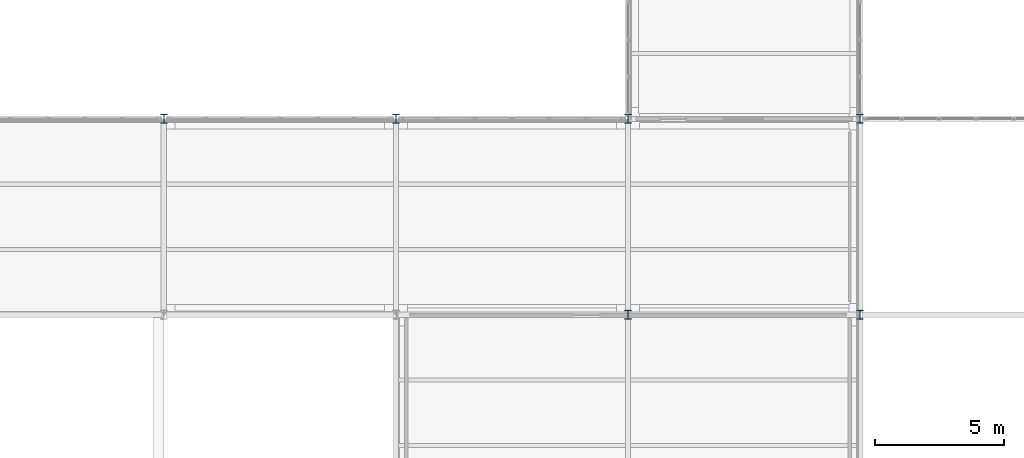
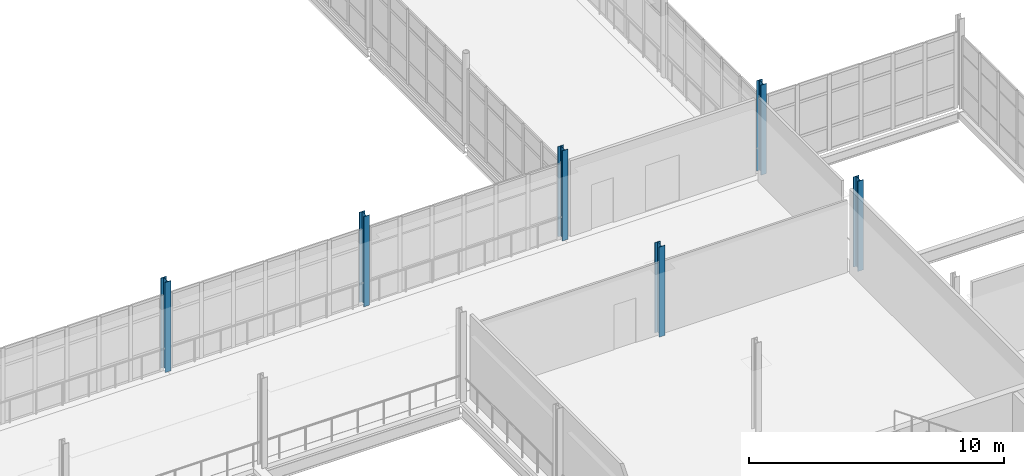
# One storey, part 8 of 174: 6 columns.
"""IFC4 building model written with IfcOpenShell, lengths in metres."""

from ifc_helpers import new_model, si_unit, direction, frame, origin, origin_2d, place, context, subcontext, project, spatial, i_section, extrude, material, material_profile, profile_set, type_object, element, save


model = new_model("IFC4")

# Units and contexts
model_context = context("Model", 3, precision=1e-05, world=origin(), true_north=direction((0.0, 1.0)))
body_context = subcontext(model_context, "Body", "Model", "MODEL_VIEW")
ifc_project = project(units=[si_unit("LENGTHUNIT", "METRE"), si_unit("AREAUNIT", "SQUARE_METRE"), si_unit("VOLUMEUNIT", "CUBIC_METRE"), si_unit("PLANEANGLEUNIT", "RADIAN"), si_unit("MASSUNIT", "GRAM", prefix="KILO")], contexts=[model_context])

# Site, building, storey
site_placement = place(None, origin())
site = spatial("IfcSite", under=ifc_project, at=site_placement, CompositionType="ELEMENT")
building_placement = place(site_placement, origin())
building = spatial("IfcBuilding", under=site, at=building_placement, Name="Caisbarro Railhouse Central Library", CompositionType="ELEMENT")
storey_placement = place(building_placement, frame((0.0, 0.0, 5.0400390625)))
storey = spatial("IfcBuildingStorey", under=building, at=storey_placement, Name="L01", CompositionType="ELEMENT", Elevation=5.0400390625)

# Columns
ifc_material = material(Name="Steel ASTM A572 Grade 50", Category="steel")
ifc_material_profile = material_profile(ifc_material, i_section(OverallWidth=0.257080078125, OverallDepth=0.363037109375, WebThickness=0.012939453125, FlangeThickness=0.021728515625, FilletRadius=0.014892578125, at=origin_2d()), Name="W360X122.0")
ifc_profile_set = profile_set([ifc_material_profile], Name="Steel ASTM A572 Grade 50")
column_type = type_object("IfcColumnType", Name="COL-C04", PredefinedType="COLUMN", material=ifc_profile_set)
for number, where, z_axis, x_axis, name in (
    (1, (36.0, 60.800048828125, 0.0), (0.0, 0.0, 1.0), (1.0, 0.0, 0.0), "C04 column L01 (36.0,60.8)"),
    (2, (45.0, 60.800048828125, 0.0), (0.0, 0.0, 1.0), (1.0, 0.0, 0.0), "C04 column L01 (45.0,60.8)"),
    (3, (54.0, 53.199951171875, 0.0), (0.0, 0.0, 1.0), (1.0, 0.0, 0.0), "C04 column L01 (54.0,53.2)"),
    (4, (54.0, 60.800048828125, 0.0), (0.0, 0.0, 1.0), (1.0, 0.0, 0.0), "C04 column L01 (54.0,60.8)"),
    (5, (63.0, 53.199951171875, 0.0), (0.0, 0.0, 1.0), (1.0, 0.0, 0.0), "C04 column L01 (63.0,53.2)"),
    (6, (63.0, 60.800048828125, 0.0), (0.0, 0.0, 1.0), (1.0, 0.0, 0.0), "C04 column L01 (63.0,60.8)"),
):
    element("IfcColumn", number, at=place(storey_placement, frame(where, z_axis=z_axis, x_axis=x_axis)), inside=storey, type_object=column_type, Name=name, PredefinedType="COLUMN", context=body_context, shape_type="SweptSolid", body=[
        extrude(i_section(OverallWidth=0.257080078125, OverallDepth=0.363037109375, WebThickness=0.012939453125, FlangeThickness=0.021728515625, FilletRadius=0.014892578125, at=origin_2d()), origin(), (0.0, 0.0, 1.0), 4.320068359375),
    ])

save(model, "model.ifc")
